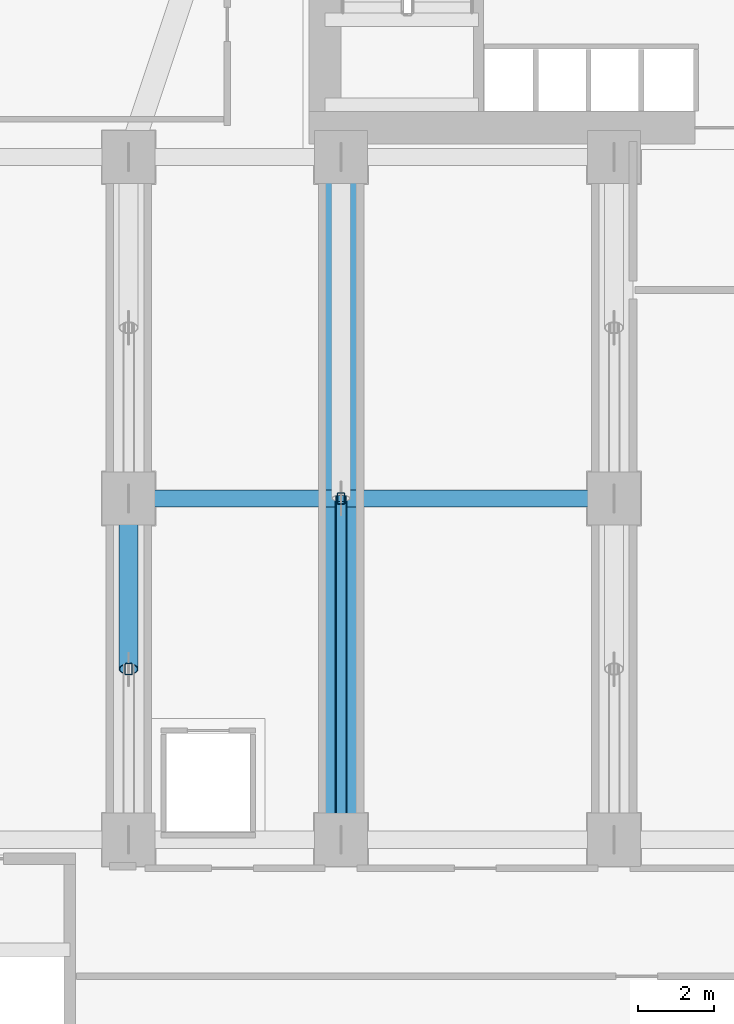
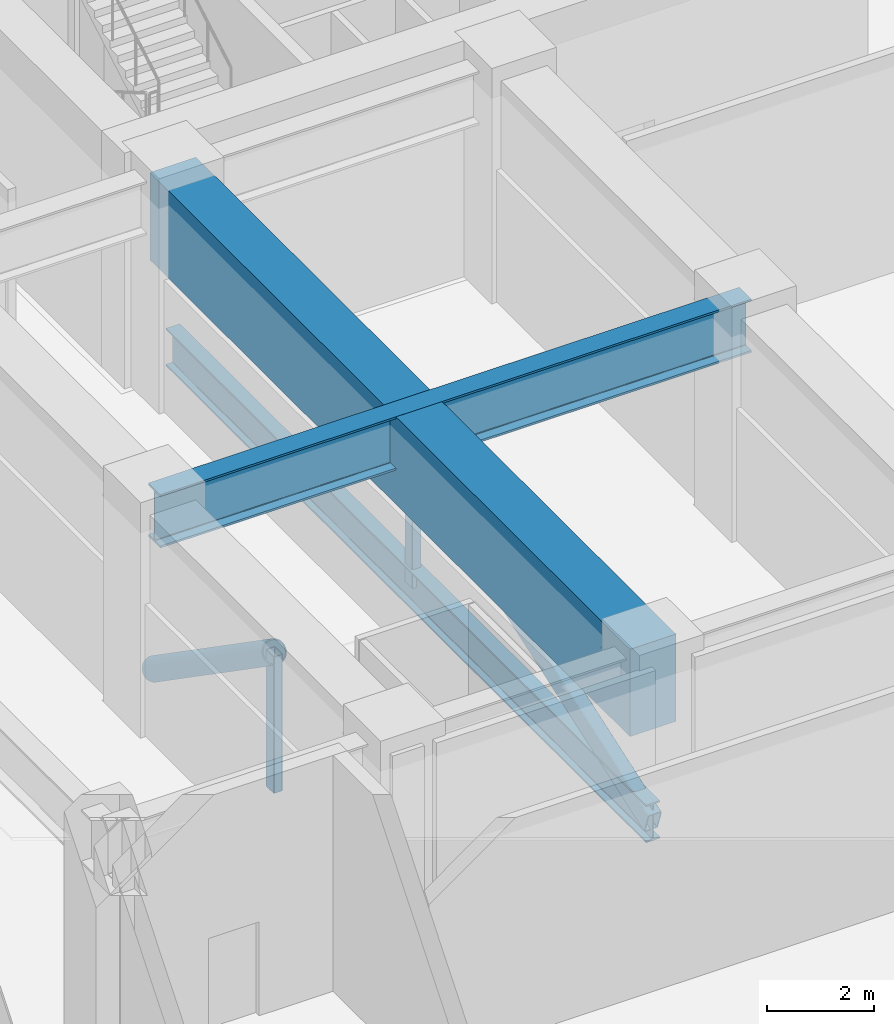
# One storey, part 3 of 21: 4 members, 3 beams.
"""IFC4 building model written with IfcOpenShell, lengths in metres."""

import ifcopenshell
import ifcopenshell.guid

model = None  # the IFC model being written
_history = None  # IfcOwnerHistory: only IFC2X3 demands one
_inside = {}  # id of a spatial element -> (the spatial element, [elements in it])
_under = {}  # id of a project, library or spatial element -> (it, [spatial elements below it])
_declared = {}  # id of a project -> (the project, [libraries it declares])
_typed = {}  # id of a type object -> (the type object, [elements of that type])
_made_of = {}  # id of a material, layer set ... -> (it, [elements and type objects made of it])


def new_model(schema):
    """Start an empty IFC model of exactly this schema.

    Asked for "IFC4X3", IfcOpenShell would pick the latest addendum, in which some entities
    have other attributes; the version numbers below select the first issue.
    IFC2X3 requires an IfcOwnerHistory on every rooted entity: one is made here for all.
    """
    global model, _history
    if schema == "IFC4X3":
        model = ifcopenshell.file(schema_version=(4, 3, 0, 0))
    else:
        model = ifcopenshell.file(schema=schema)
    _inside.clear()
    _under.clear()
    _declared.clear()
    _typed.clear()
    _made_of.clear()
    _history = None
    if model.schema == "IFC2X3":
        org = make("IfcOrganization", Name="unknown")
        user = make(
            "IfcPersonAndOrganization",
            ThePerson=make("IfcPerson", FamilyName="unknown"),
            TheOrganization=org,
        )
        app = make(
            "IfcApplication",
            ApplicationDeveloper=org,
            Version="unknown",
            ApplicationFullName="unknown",
            ApplicationIdentifier="unknown",
        )
        _history = make(
            "IfcOwnerHistory",
            OwningUser=user,
            OwningApplication=app,
            ChangeAction="ADDED",
            CreationDate=0,
        )
    return model


def make(cls, **values):
    """One entity of the class cls with the attributes given. An attribute that is None is left unset."""
    return model.create_entity(
        cls, **{name: value for name, value in values.items() if value is not None}
    )


def rooted(cls, **values):
    """An entity with a GlobalId (a new one), such as an element, a storey or a relation."""
    return make(cls, GlobalId=ifcopenshell.guid.new(), OwnerHistory=_history, **values)


def si_unit(unit_type, name, prefix=None):
    """IfcSIUnit, for example si_unit("LENGTHUNIT", "METRE", prefix="MILLI")."""
    return make("IfcSIUnit", UnitType=unit_type, Prefix=prefix, Name=name)


def assignment(units):
    """IfcUnitAssignment: the units of a project."""
    return None if units is None else make("IfcUnitAssignment", Units=units)


def point(xyz):
    """IfcCartesianPoint."""
    return None if xyz is None else make("IfcCartesianPoint", Coordinates=xyz)


def direction(xyz):
    """IfcDirection."""
    return None if xyz is None else make("IfcDirection", DirectionRatios=xyz)


def frame(location, z_axis=None, x_axis=None):
    """IfcAxis2Placement3D, a coordinate frame: its origin and axes. An axis left out is left unset."""
    return make(
        "IfcAxis2Placement3D",
        Location=point(location),
        Axis=direction(z_axis),
        RefDirection=direction(x_axis),
    )


def frame_2d(location, x_axis=None):
    """IfcAxis2Placement2D, a coordinate frame in the plane: its origin and x axis."""
    return make(
        "IfcAxis2Placement2D", Location=point(location), RefDirection=direction(x_axis)
    )


def origin():
    """The frame at (0, 0, 0) with its axes left unset."""
    return frame((0.0, 0.0, 0.0))


def origin_2d():
    """The frame at (0, 0) in the plane with its x axis left unset."""
    return frame_2d((0.0, 0.0))


def place(relative_to, where):
    """IfcLocalPlacement: puts the frame where relative to a parent placement (None: the world)."""
    return make(
        "IfcLocalPlacement", PlacementRelTo=relative_to, RelativePlacement=where
    )


def context(
    kind, dimensions, precision=None, world=None, true_north=None, identifier=None
):
    """IfcGeometricRepresentationContext, for example the 3D "Model" context."""
    return make(
        "IfcGeometricRepresentationContext",
        ContextIdentifier=identifier,
        ContextType=kind,
        CoordinateSpaceDimension=dimensions,
        Precision=precision,
        WorldCoordinateSystem=world,
        TrueNorth=true_north,
    )


def subcontext(parent, identifier, kind, view, scale=None):
    """IfcGeometricRepresentationSubContext, for example "Body" below "Model"."""
    return make(
        "IfcGeometricRepresentationSubContext",
        ContextIdentifier=identifier,
        ContextType=kind,
        ParentContext=parent,
        TargetScale=scale,
        TargetView=view,
    )


def project(units=None, contexts=None):
    """IfcProject with its units and contexts."""
    return rooted(
        "IfcProject",
        Name="project",
        RepresentationContexts=contexts,
        UnitsInContext=assignment(units),
    )


def spatial(cls, under=None, at=None, **own):
    """A site, building, storey or space (cls), placed at a placement, below another one or the project."""
    s = rooted(cls, ObjectPlacement=at, **own)
    if under is not None:
        _under.setdefault(under.id(), (under, []))[1].append(s)
    return s


def profile(cls, at=None, kind="AREA", **sizes):
    """A parametric profile (cls). Its sizes go by their IFC names, for example OverallWidth=200.0."""
    return make(cls, ProfileType=kind, Position=at, **sizes)


def rectangle(**sizes):
    """IfcRectangleProfileDef."""
    return profile("IfcRectangleProfileDef", **sizes)


def hollow_rectangle(**sizes):
    """IfcRectangleHollowProfileDef."""
    return profile("IfcRectangleHollowProfileDef", **sizes)


def hollow_circle(**sizes):
    """IfcCircleHollowProfileDef."""
    return profile("IfcCircleHollowProfileDef", **sizes)


def i_section(**sizes):
    """IfcIShapeProfileDef."""
    return profile("IfcIShapeProfileDef", **sizes)


def extrude(swept, where, along, depth):
    """IfcExtrudedAreaSolid: the profile swept, set in the frame where, extruded along a direction by depth."""
    return make(
        "IfcExtrudedAreaSolid",
        SweptArea=swept,
        Position=where,
        ExtrudedDirection=direction(along),
        Depth=depth,
    )


def shape(context_of_items, identifier, shape_type, items):
    """IfcShapeRepresentation: the items that make up one representation, for example the "Body"."""
    return make(
        "IfcShapeRepresentation",
        ContextOfItems=context_of_items,
        RepresentationIdentifier=identifier,
        RepresentationType=shape_type,
        Items=items,
    )


def source(mapping_origin, context_of_items, identifier, shape_type, items):
    """IfcRepresentationMap: a shape defined once, which mapped items show again and again."""
    return make(
        "IfcRepresentationMap",
        MappingOrigin=mapping_origin,
        MappedRepresentation=shape(context_of_items, identifier, shape_type, items),
    )


def transform(
    local_origin,
    x_axis=None,
    y_axis=None,
    z_axis=None,
    scale=None,
    scale2=None,
    scale3=None,
    uniform=True,
):
    """IfcCartesianTransformationOperator3D, or its non-uniform kind. x_axis, y_axis, z_axis: its Axis1, 2, 3."""
    if uniform:
        return make(
            "IfcCartesianTransformationOperator3D",
            Axis1=direction(x_axis),
            Axis2=direction(y_axis),
            LocalOrigin=point(local_origin),
            Scale=scale,
            Axis3=direction(z_axis),
        )
    return make(
        "IfcCartesianTransformationOperator3DnonUniform",
        Axis1=direction(x_axis),
        Axis2=direction(y_axis),
        LocalOrigin=point(local_origin),
        Scale=scale,
        Axis3=direction(z_axis),
        Scale2=scale2,
        Scale3=scale3,
    )


def mapped(mapping_source, mapping_target):
    """IfcMappedItem: shows the shape of a source again, moved by a transform."""
    return make(
        "IfcMappedItem", MappingSource=mapping_source, MappingTarget=mapping_target
    )


def material(Name=None, Category=None):
    """IfcMaterial."""
    return make("IfcMaterial", Name=Name, Category=Category)


def material_profile(
    of_material, cross_section, Name=None, Category=None, Priority=None
):
    """IfcMaterialProfile: a cross section and its material."""
    return make(
        "IfcMaterialProfile",
        Name=Name,
        Material=of_material,
        Profile=cross_section,
        Priority=Priority,
        Category=Category,
    )


def profile_set(profiles, Name=None, composite=None):
    """IfcMaterialProfileSet."""
    return make(
        "IfcMaterialProfileSet",
        Name=Name,
        MaterialProfiles=profiles,
        CompositeProfile=composite,
    )


def made_of(thing, what):
    """Note that an element or type object is made of a material, layer set ...; save() writes the relation."""
    if what is not None:
        _made_of.setdefault(what.id(), (what, []))[1].append(thing)
    return thing


def type_object(cls, material=None, **own):
    """A type object (cls), such as IfcWallType, which elements share."""
    return made_of(rooted(cls, **own), material)


def element(
    cls,
    number,
    at=None,
    inside=None,
    cuts=None,
    type_object=None,
    material=None,
    context=None,
    identifier="Body",
    shape_type=None,
    held_by="IfcProductDefinitionShape",
    body=None,
    shapes=None,
    **own,
):
    """One element of the class cls, such as IfcWall. Its Tag is "e" and its number.

    at: its placement. inside: the storey or other place that contains it. cuts: it is an
    opening in that element (IfcRelVoidsElement). A single representation is given by context,
    identifier, shape_type and body (its items); several are given by shapes. held_by: the class
    of the entity that holds the representations. save() writes the other relations.
    """
    e = rooted(cls, Tag="e%d" % number, ObjectPlacement=at, **own)
    if body is not None:
        shapes = [shape(context, identifier, shape_type, body)]
    if shapes is not None:
        e.Representation = make(held_by, Representations=shapes)
    if inside is not None:
        _inside.setdefault(inside.id(), (inside, []))[1].append(e)
    if cuts is not None:
        rooted(
            "IfcRelVoidsElement", RelatingBuildingElement=cuts, RelatedOpeningElement=e
        )
    if type_object is not None:
        _typed.setdefault(type_object.id(), (type_object, []))[1].append(e)
    return made_of(e, material)


def aggregate(whole, parts):
    """IfcRelAggregates: a whole, such as a stair, and the parts it consists of."""
    return rooted("IfcRelAggregates", RelatingObject=whole, RelatedObjects=parts)


def save(model, path):
    """Write the relations noted so far, then the file.

    IfcRelAggregates (storeys below a building ...), IfcRelContainedInSpatialStructure (elements
    in a storey), IfcRelDefinesByType, IfcRelAssociatesMaterial and IfcRelDeclares: one each for
    every whole, place, type object, material and project.
    """
    for whole, parts in _under.values():
        aggregate(whole, parts)
    for where, things in _inside.values():
        rooted(
            "IfcRelContainedInSpatialStructure",
            RelatedElements=things,
            RelatingStructure=where,
        )
    for kind, things in _typed.values():
        rooted("IfcRelDefinesByType", RelatedObjects=things, RelatingType=kind)
    for what, things in _made_of.values():
        rooted("IfcRelAssociatesMaterial", RelatedObjects=things, RelatingMaterial=what)
    for by, libraries in _declared.values():
        rooted("IfcRelDeclares", RelatingContext=by, RelatedDefinitions=libraries)
    model.write(path)


model = new_model("IFC4")

# Units and contexts
model_context = context("Model", 3, precision=1e-05, world=origin(), true_north=direction((0.0, 1.0)))
body_context = subcontext(model_context, "Body", "Model", "MODEL_VIEW")
ifc_project = project(units=[si_unit("LENGTHUNIT", "METRE"), si_unit("AREAUNIT", "SQUARE_METRE"), si_unit("VOLUMEUNIT", "CUBIC_METRE"), si_unit("PLANEANGLEUNIT", "RADIAN"), si_unit("MASSUNIT", "GRAM", prefix="KILO")], contexts=[model_context])

# Site, building, storey
site_placement = place(None, origin())
site = spatial("IfcSite", under=ifc_project, at=site_placement, CompositionType="ELEMENT")
building_placement = place(site_placement, origin())
building = spatial("IfcBuilding", under=site, at=building_placement, Name="Calvemar Wedge Station Tower", CompositionType="ELEMENT")
storey_placement = place(building_placement, frame((0.0, 0.0, 21.60009765625)))
storey = spatial("IfcBuildingStorey", under=building, at=storey_placement, Name="L05", CompositionType="ELEMENT", Elevation=21.60009765625)

# Beams
ifc_material_1 = material(Name="Structural steel ASTM A572 Grade 50", Category="steel")
ifc_material_profile_1 = material_profile(ifc_material_1, i_section(OverallWidth=0.303955078125, OverallDepth=0.862060546875, WebThickness=0.019775390625, FlangeThickness=0.035888671875, FilletRadius=0.02001953125, at=origin_2d()), Name="W840x329")
ifc_profile_set_1 = profile_set([ifc_material_profile_1], Name="Structural steel ASTM A572 Grade 50")
beam_type_1 = type_object("IfcBeamType", Name="BM-TR2-W840", PredefinedType="BEAM", material=ifc_profile_set_1)
shared_shape_1 = source(origin(), body_context, "Body", "SweptSolid", [
    extrude(i_section(OverallWidth=0.303955078125, OverallDepth=0.862060546875, WebThickness=0.019775390625, FlangeThickness=0.035888671875, FilletRadius=0.02001953125, at=origin_2d()), origin(), (0.0, 0.0, 1.0), 18.0),
])
beam_1_placement = place(storey_placement, frame((16.60009765625, 15.0, 0.930908203125), z_axis=(0.0, 1.0, 0.0), x_axis=(-1.0, 0.0, 0.0)))
element("IfcBeam", 1, at=beam_1_placement, inside=storey, type_object=beam_type_1, Name="Warren Transfer Truss TR2 Bottom Chord 1", PredefinedType="BEAM", context=body_context, shape_type="MappedRepresentation", body=[
    mapped(shared_shape_1, transform((0.0, 0.0, 0.0), scale=1.0)),
])
ifc_material_2 = material(Name="Concrete C70", Category="concrete")
ifc_material_profile_2 = material_profile(ifc_material_2, rectangle(XDim=1.0, YDim=2.0, at=origin_2d()), Name="RC1000x2000")
ifc_profile_set_2 = profile_set([ifc_material_profile_2], Name="Concrete C70")
beam_type_2 = type_object("IfcBeamType", Name="BM-TG1-2000", PredefinedType="BEAM", material=ifc_profile_set_2)
shared_shape_2 = source(origin(), body_context, "Body", "SweptSolid", [
    extrude(rectangle(XDim=1.0, YDim=2.0, at=origin_2d()), origin(), (0.0, 0.0, 1.0), 18.0),
])
beam_2_placement = place(storey_placement, frame((16.60009765625, 15.0, 4.0498046875), z_axis=(0.0, 1.0, 0.0), x_axis=(-1.0, 0.0, 0.0)))
element("IfcBeam", 2, at=beam_2_placement, inside=storey, type_object=beam_type_2, Name="L05 Transfer Girder TG-L05-M1", PredefinedType="BEAM", context=body_context, shape_type="MappedRepresentation", body=[
    mapped(shared_shape_2, transform((0.0, 0.0, 0.0), scale=1.0)),
])

# Members
ifc_material_profile_3 = material_profile(ifc_material_1, hollow_circle(Radius=0.25390625, WallThickness=0.02490234375, at=origin_2d()), Name="CHS508x25")
ifc_profile_set_3 = profile_set([ifc_material_profile_3], Name="Structural steel ASTM A572 Grade 50")
member_type_1 = type_object("IfcMemberType", Name="MEM-D2-CHS508", PredefinedType="BRACE", material=ifc_profile_set_3)
shared_shape_3 = source(origin(), body_context, "Body", "SweptSolid", [
    extrude(hollow_circle(Radius=0.25390625, WallThickness=0.02490234375, at=origin_2d()), origin(), (0.0, 0.0, 1.0), 5.47509765625),
])
member_1_placement = place(storey_placement, frame((11.0, 19.5, 4.0498046875), z_axis=(0.0, 0.821891894139, -0.569643497592), x_axis=(-1.0, 0.0, 0.0)))
element("IfcMember", 3, at=member_1_placement, inside=storey, type_object=member_type_1, Name="Warren Transfer Truss TR1 Diagonal 1B", PredefinedType="BRACE", context=body_context, shape_type="MappedRepresentation", body=[
    mapped(shared_shape_3, transform((0.0, 0.0, 0.0), scale=1.0)),
])
ifc_material_profile_4 = material_profile(ifc_material_1, hollow_rectangle(XDim=0.199951171875, YDim=0.300048828125, WallThickness=0.013916015625, InnerFilletRadius=0.013916015625, OuterFilletRadius=0.028076171875, at=origin_2d()), Name="HSS300x200x14")
ifc_profile_set_4 = profile_set([ifc_material_profile_4], Name="Structural steel ASTM A572 Grade 50")
member_type_2 = type_object("IfcMemberType", Name="MEM-ST1-HSS300", PredefinedType="STRUT", material=ifc_profile_set_4)
shared_shape_4 = source(origin(), body_context, "Body", "SweptSolid", [
    extrude(hollow_rectangle(XDim=0.199951171875, YDim=0.300048828125, WallThickness=0.013916015625, InnerFilletRadius=0.013916015625, OuterFilletRadius=0.028076171875, at=origin_2d()), origin(), (0.0, 0.0, 1.0), 3.118896484375),
])
for number, where, z_axis, x_axis, name in (
    (4, (11.0, 19.5, 0.930908203125), (0.0, 0.0, 1.0), (1.0, 0.0, 0.0), "Warren Transfer Truss TR1 Web Hanger 1"),
    (5, (16.60009765625, 24.0, 0.930908203125), (0.0, 0.0, 1.0), (1.0, 0.0, 0.0), "Warren Transfer Truss TR2 Web Hanger 1"),
):
    element("IfcMember", number, at=place(storey_placement, frame(where, z_axis=z_axis, x_axis=x_axis)), inside=storey, type_object=member_type_2, Name=name, PredefinedType="STRUT", context=body_context, shape_type="MappedRepresentation", body=[
        mapped(shared_shape_4, transform((0.0, 0.0, 0.0), scale=1.0)),
    ])
ifc_material_profile_5 = material_profile(ifc_material_1, hollow_rectangle(XDim=0.300048828125, YDim=0.5, WallThickness=0.02197265625, InnerFilletRadius=0.02197265625, OuterFilletRadius=0.0439453125, at=origin_2d()), Name="HSS500x300x22")
ifc_profile_set_5 = profile_set([ifc_material_profile_5], Name="Structural steel ASTM A572 Grade 50")
member_type_3 = type_object("IfcMemberType", Name="MEM-D1-HSS500", PredefinedType="BRACE", material=ifc_profile_set_5)
shared_shape_5 = source(origin(), body_context, "Body", "SweptSolid", [
    extrude(hollow_rectangle(XDim=0.300048828125, YDim=0.5, WallThickness=0.02197265625, InnerFilletRadius=0.02197265625, OuterFilletRadius=0.0439453125, at=origin_2d()), origin(), (0.0, 0.0, 1.0), 9.525146484375),
])
member_2_placement = place(storey_placement, frame((16.60009765625, 15.0, 0.930908203125), z_axis=(0.0, 0.944872046549, 0.327439789352), x_axis=(-1.0, 0.0, 0.0)))
element("IfcMember", 6, at=member_2_placement, inside=storey, type_object=member_type_3, Name="Warren Transfer Truss TR2 Diagonal 1A", PredefinedType="BRACE", context=body_context, shape_type="MappedRepresentation", body=[
    mapped(shared_shape_5, transform((0.0, 0.0, 0.0), scale=1.0)),
])

# Beam
ifc_material_profile_6 = material_profile(ifc_material_1, i_section(OverallWidth=0.449951171875, OverallDepth=1.219970703125, WebThickness=0.02587890625, FlangeThickness=0.0458984375, FilletRadius=0.02392578125, at=origin_2d()), Name="W1200x540")
ifc_profile_set_6 = profile_set([ifc_material_profile_6], Name="Structural steel ASTM A572 Grade 50")
beam_type_3 = type_object("IfcBeamType", Name="BM-TG3-W1200", PredefinedType="BEAM", material=ifc_profile_set_6)
shared_shape_6 = source(origin(), body_context, "Body", "SweptSolid", [
    extrude(i_section(OverallWidth=0.449951171875, OverallDepth=1.219970703125, WebThickness=0.02587890625, FlangeThickness=0.0458984375, FilletRadius=0.02392578125, at=origin_2d()), origin(), (0.0, 0.0, 1.0), 12.800048828125),
])
beam_3_placement = place(storey_placement, frame((11.0, 24.0, 4.43994140625), z_axis=(1.0, 0.0, 0.0), x_axis=(0.0, 1.0, 0.0)))
element("IfcBeam", 7, at=beam_3_placement, inside=storey, type_object=beam_type_3, Name="L05 Transfer Deck Tie Girder P-CM1-P-CM2", PredefinedType="BEAM", context=body_context, shape_type="MappedRepresentation", body=[
    mapped(shared_shape_6, transform((0.0, 0.0, 0.0), scale=1.0)),
])

save(model, "model.ifc")
